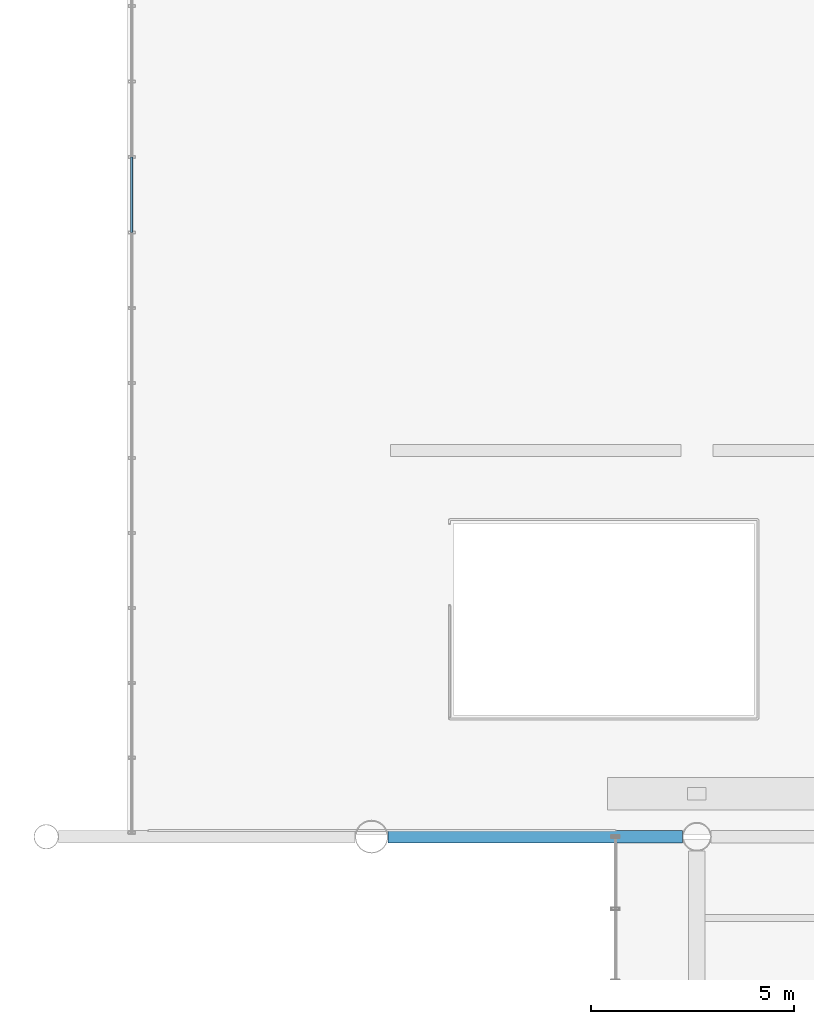
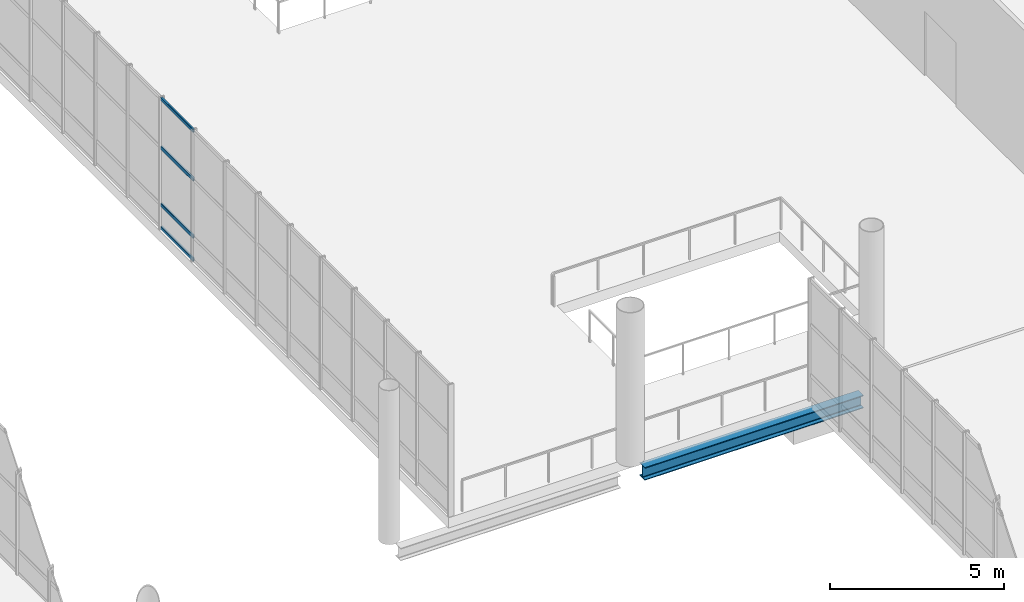
# One storey, part 63 of 176: 4 members, 1 beam, 1 element without a shape of its own.
"""IFC4 building model written with IfcOpenShell, lengths in metres."""

from ifc_helpers import new_model, si_unit, direction, frame, origin, origin_2d, place, context, subcontext, project, spatial, hollow_rectangle, i_section, extrude, material, layer, layer_set, material_profile, profile_set, type_object, element, aggregate, save


model = new_model("IFC4")

# Units and contexts
model_context = context("Model", 3, precision=1e-05, world=origin(), true_north=direction((0.0, 1.0)))
body_context = subcontext(model_context, "Body", "Model", "MODEL_VIEW")
ifc_project = project(units=[si_unit("LENGTHUNIT", "METRE"), si_unit("AREAUNIT", "SQUARE_METRE"), si_unit("VOLUMEUNIT", "CUBIC_METRE"), si_unit("PLANEANGLEUNIT", "RADIAN"), si_unit("MASSUNIT", "GRAM", prefix="KILO")], contexts=[model_context])

# Site, building, storey
site_placement = place(None, origin())
site = spatial("IfcSite", under=ifc_project, at=site_placement, CompositionType="ELEMENT")
building_placement = place(site_placement, origin())
building = spatial("IfcBuilding", under=site, at=building_placement, Name="Khorjan Park Terminus", CompositionType="ELEMENT")
storey_placement = place(building_placement, frame((0.0, 0.0, 6.0)))
storey = spatial("IfcBuildingStorey", under=building, at=storey_placement, Name="L01", CompositionType="ELEMENT", Elevation=6.0)

# Beam
ifc_material_1 = material(Name="Steel S355", Category="steel")
ifc_material_profile_1 = material_profile(ifc_material_1, i_section(OverallWidth=0.3, OverallDepth=0.45, WebThickness=0.014, FlangeThickness=0.026, FilletRadius=0.027, at=origin_2d()), Name="HEB 450")
ifc_profile_set_1 = profile_set([ifc_material_profile_1], Name="Steel S355")
beam_type = type_object("IfcBeamType", Name="BM-HEB450", PredefinedType="BEAM", material=ifc_profile_set_1)
beam_placement = place(storey_placement, frame((104.4015, 102.0, -0.585), z_axis=(1.0, 0.0, 0.0), x_axis=(0.0, 1.0, 0.0)))
element("IfcBeam", 1, at=beam_placement, inside=storey, type_object=beam_type, Name="Primary floor girder SB-B45 (L01)", PredefinedType="BEAM", context=body_context, shape_type="SweptSolid", body=[
    extrude(i_section(OverallWidth=0.3, OverallDepth=0.45, WebThickness=0.014, FlangeThickness=0.026, FilletRadius=0.027, at=origin_2d()), origin(), (0.0, 0.0, 1.0), 7.248),
])

# Curtain wall, members
ifc_material_2 = material(Name="Anodized Bronze Aluminium", Category="aluminium")
ifc_layer = layer(ifc_material_2, 0.22)
ifc_layer_set = layer_set([ifc_layer], Name="Anodized Bronze Aluminium")
curtain_wall_type = type_object("IfcCurtainWallType", Name="CW-BRG-D", PredefinedType="NOTDEFINED", material=ifc_layer_set)
curtain_wall_placement = place(storey_placement, origin())
curtain_wall = element("IfcCurtainWall", 2, at=curtain_wall_placement, inside=storey, type_object=curtain_wall_type, Name="Unitized curtain wall CW-D (CW-BRE-W-2)", PredefinedType="NOTDEFINED")
ifc_material_profile_2 = material_profile(ifc_material_2, hollow_rectangle(XDim=0.06, YDim=0.12, WallThickness=0.004, InnerFilletRadius=0.004, OuterFilletRadius=0.008, at=origin_2d()), Name="ALT 60x120x4")
ifc_profile_set_2 = profile_set([ifc_material_profile_2], Name="Anodized Bronze Aluminium")
member_type = type_object("IfcMemberType", Name="TR-ALT-120", PredefinedType="USERDEFINED", material=ifc_profile_set_2)
member_1_placement = place(storey_placement, frame((98.1, 118.7143, 0.04), z_axis=(0.0, -1.0, 0.0), x_axis=(1.0, 0.0, 0.0)))
member_1 = element("IfcMember", 3, at=member_1_placement, type_object=member_type, Name="Curtain-wall transom TR-12 (CW-BRE-W-2-5-1)", ObjectType="TRANSOM", PredefinedType="USERDEFINED", context=body_context, shape_type="SweptSolid", body=[
    extrude(hollow_rectangle(XDim=0.06, YDim=0.12, WallThickness=0.004, InnerFilletRadius=0.004, OuterFilletRadius=0.008, at=origin_2d()), origin(), (0.0, 0.0, 1.0), 1.8572),
])
member_2_placement = place(storey_placement, frame((98.1, 118.7143, 0.85), z_axis=(0.0, -1.0, 0.0), x_axis=(1.0, 0.0, 0.0)))
member_2 = element("IfcMember", 4, at=member_2_placement, type_object=member_type, Name="Curtain-wall transom TR-12 (CW-BRE-W-2-5-2)", ObjectType="TRANSOM", PredefinedType="USERDEFINED", context=body_context, shape_type="SweptSolid", body=[
    extrude(hollow_rectangle(XDim=0.06, YDim=0.12, WallThickness=0.004, InnerFilletRadius=0.004, OuterFilletRadius=0.008, at=origin_2d()), origin(), (0.0, 0.0, 1.0), 1.8572),
])
member_3_placement = place(storey_placement, frame((98.1, 118.7143, 2.852), z_axis=(0.0, -1.0, 0.0), x_axis=(1.0, 0.0, 0.0)))
member_3 = element("IfcMember", 5, at=member_3_placement, type_object=member_type, Name="Curtain-wall transom TR-12 (CW-BRE-W-2-5-3)", ObjectType="TRANSOM", PredefinedType="USERDEFINED", context=body_context, shape_type="SweptSolid", body=[
    extrude(hollow_rectangle(XDim=0.06, YDim=0.12, WallThickness=0.004, InnerFilletRadius=0.004, OuterFilletRadius=0.008, at=origin_2d()), origin(), (0.0, 0.0, 1.0), 1.8572),
])
member_4_placement = place(storey_placement, frame((98.1, 118.7143, 4.56), z_axis=(0.0, -1.0, 0.0), x_axis=(1.0, 0.0, 0.0)))
member_4 = element("IfcMember", 6, at=member_4_placement, type_object=member_type, Name="Curtain-wall transom TR-12 (CW-BRE-W-2-5-4)", ObjectType="TRANSOM", PredefinedType="USERDEFINED", context=body_context, shape_type="SweptSolid", body=[
    extrude(hollow_rectangle(XDim=0.06, YDim=0.12, WallThickness=0.004, InnerFilletRadius=0.004, OuterFilletRadius=0.008, at=origin_2d()), origin(), (0.0, 0.0, 1.0), 1.8572),
])
aggregate(curtain_wall, [member_1, member_2, member_3, member_4])

save(model, "model.ifc")
